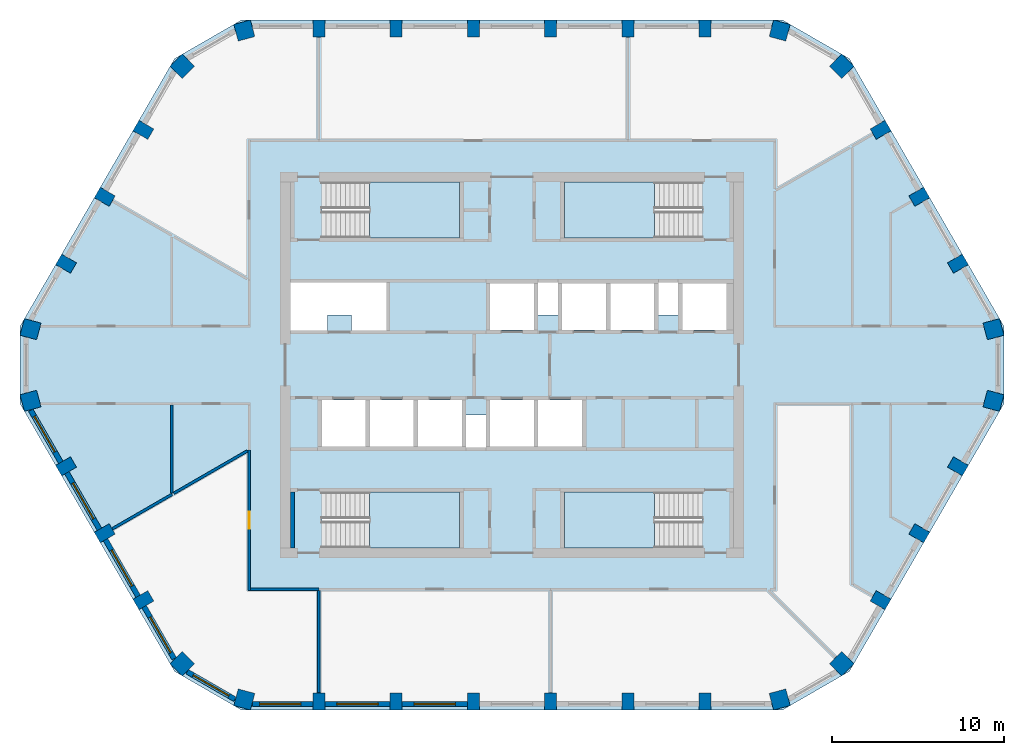
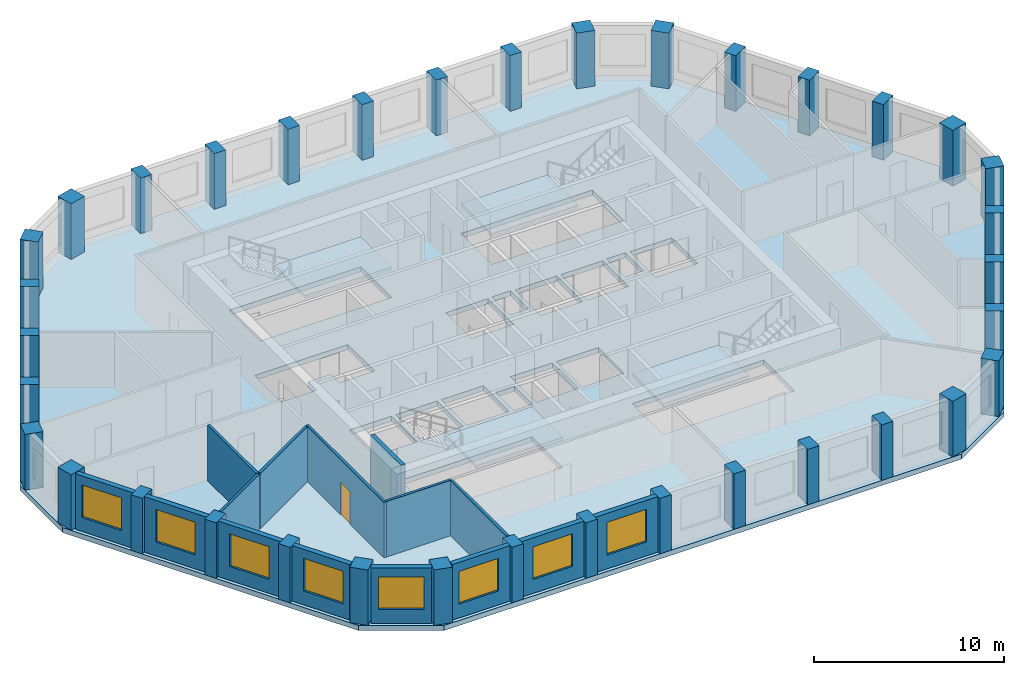
# One storey, part 1 of 11: 36 columns, 15 walls, 8 windows, 5 slabs, 1 door, 9 openings, 4 elements without a shape of their own.
"""IFC4 building model written with IfcOpenShell, lengths in metres."""

from ifc_helpers import new_model, si_unit, direction, frame, frame_2d, origin, origin_2d, place, context, subcontext, project, spatial, polyline, rectangle, outline, extrude, material, layer, layer_set, material_profile, profile_set, type_object, element, fill, aggregate, save


model = new_model("IFC4")

# Units and contexts
model_context = context("Model", 3, precision=1e-05, world=origin(), true_north=direction((0.0, 1.0)))
body_context = subcontext(model_context, "Body", "Model", "MODEL_VIEW")
ifc_project = project(units=[si_unit("LENGTHUNIT", "METRE"), si_unit("AREAUNIT", "SQUARE_METRE"), si_unit("VOLUMEUNIT", "CUBIC_METRE"), si_unit("PLANEANGLEUNIT", "RADIAN"), si_unit("MASSUNIT", "GRAM", prefix="KILO")], contexts=[model_context])

# Site, building, storey
site_placement = place(None, origin())
site = spatial("IfcSite", under=ifc_project, at=site_placement, CompositionType="ELEMENT")
building_placement = place(site_placement, origin())
building = spatial("IfcBuilding", under=site, at=building_placement, Name="Dhurran Vertical Campus", CompositionType="ELEMENT")
storey_placement = place(building_placement, frame((0.0, 0.0, 274.199951171875)))
storey = spatial("IfcBuildingStorey", under=building, at=storey_placement, Name="L68", CompositionType="ELEMENT", Elevation=274.199951171875)

# Columns
ifc_material_1 = material(Name="Concrete C50/60", Category="concrete")
ifc_material_profile_1 = material_profile(ifc_material_1, rectangle(XDim=1.0, YDim=1.0, at=origin_2d()), Name="RC 1000x1000")
ifc_profile_set_1 = profile_set([ifc_material_profile_1], Name="Concrete C50/60")
column_type_1 = type_object("IfcColumnType", Name="FR COL RC 1000x1000 C50/60", PredefinedType="COLUMN", material=ifc_profile_set_1)
for number, where, z_axis, x_axis, name in (
    (1, (-15.5859375, -19.47607421875, 0.0), (0.0, 0.0, 1.0), (0.965925826289, -0.258819045103, 0.0), "Perimeter pier PP5.00"),
    (2, (15.5859375, -19.47607421875, 0.0), (0.0, 0.0, 1.0), (0.965925826289, 0.258819045103, 0.0), "Perimeter pier PP5.07"),
    (3, (19.19873046875, -17.39013671875, 0.0), (0.0, 0.0, 1.0), (0.707106781187, 0.707106781187, 0.0), "Perimeter pier PP5.08"),
    (4, (28.03466796875, -2.0859375, 0.0), (0.0, 0.0, 1.0), (0.258819045103, 0.965925826289, 0.0), "Perimeter pier PP5.12"),
    (5, (28.03466796875, 2.0859375, 0.0), (0.0, 0.0, 1.0), (-0.258819045103, 0.965925826289, 0.0), "Perimeter pier PP5.13"),
    (6, (19.19873046875, 17.39013671875, 0.0), (0.0, 0.0, 1.0), (-0.707106781187, 0.707106781187, 0.0), "Perimeter pier PP5.17"),
    (7, (15.5859375, 19.47607421875, 0.0), (0.0, 0.0, 1.0), (-0.965925826289, 0.258819045103, 0.0), "Perimeter pier PP5.18"),
    (8, (-15.5859375, 19.47607421875, 0.0), (0.0, 0.0, 1.0), (-0.965925826289, -0.258819045103, 0.0), "Perimeter pier PP5.25"),
    (9, (-19.19873046875, 17.39013671875, 0.0), (0.0, 0.0, 1.0), (-0.707106781187, -0.707106781187, 0.0), "Perimeter pier PP5.26"),
    (10, (-28.03466796875, 2.0859375, 0.0), (0.0, 0.0, 1.0), (-0.258819045103, -0.965925826289, 0.0), "Perimeter pier PP5.30"),
    (11, (-28.03466796875, -2.0859375, 0.0), (0.0, 0.0, 1.0), (0.258819045103, -0.965925826289, 0.0), "Perimeter pier PP5.31"),
    (12, (-19.19873046875, -17.39013671875, 0.0), (0.0, 0.0, 1.0), (0.707106781187, -0.707106781187, 0.0), "Perimeter pier PP5.35"),
):
    element("IfcColumn", number, at=place(storey_placement, frame(where, z_axis=z_axis, x_axis=x_axis)), inside=storey, type_object=column_type_1, Name=name, PredefinedType="COLUMN", context=body_context, shape_type="SweptSolid", body=[
        extrude(rectangle(XDim=1.0, YDim=1.0, at=origin_2d()), origin(), (0.0, 0.0, 1.0), 3.574951171875),
    ])
ifc_material_2 = material(Name="Concrete C50/60", Category="concrete")
ifc_material_profile_2 = material_profile(ifc_material_2, rectangle(XDim=0.699951171875, YDim=1.0, at=origin_2d()), Name="RC 700x1000")
ifc_profile_set_2 = profile_set([ifc_material_profile_2], Name="Concrete C50/60")
column_type_2 = type_object("IfcColumnType", Name="FR COL RC 700x1000 C50/60", PredefinedType="COLUMN", material=ifc_profile_set_2)
for number, where, z_axis, x_axis, name in (
    (13, (-11.25, -19.58837890625, 0.0), (0.0, 0.0, 1.0), (1.0, 0.0, 0.0), "Perimeter pier PP5.01"),
    (14, (-6.75, -19.58837890625, 0.0), (0.0, 0.0, 1.0), (1.0, 0.0, 0.0), "Perimeter pier PP5.02"),
    (15, (-2.25, -19.58837890625, 0.0), (0.0, 0.0, 1.0), (1.0, 0.0, 0.0), "Perimeter pier PP5.03"),
    (16, (2.25, -19.58837890625, 0.0), (0.0, 0.0, 1.0), (1.0, 0.0, 0.0), "Perimeter pier PP5.04"),
    (17, (6.75, -19.58837890625, 0.0), (0.0, 0.0, 1.0), (1.0, 0.0, 0.0), "Perimeter pier PP5.05"),
    (18, (11.25, -19.58837890625, 0.0), (0.0, 0.0, 1.0), (1.0, 0.0, 0.0), "Perimeter pier PP5.06"),
    (19, (21.464111328125, -13.69140625, 0.0), (0.0, 0.0, 1.0), (0.5, 0.866025403784, 0.0), "Perimeter pier PP5.09"),
    (20, (23.714111328125, -9.794189453125, 0.0), (0.0, 0.0, 1.0), (0.5, 0.866025403784, 0.0), "Perimeter pier PP5.10"),
    (21, (25.964111328125, -5.897216796875, 0.0), (0.0, 0.0, 1.0), (0.5, 0.866025403784, 0.0), "Perimeter pier PP5.11"),
    (22, (25.964111328125, 5.897216796875, 0.0), (0.0, 0.0, 1.0), (-0.5, 0.866025403784, 0.0), "Perimeter pier PP5.14"),
    (23, (23.714111328125, 9.794189453125, 0.0), (0.0, 0.0, 1.0), (-0.5, 0.866025403784, 0.0), "Perimeter pier PP5.15"),
    (24, (21.464111328125, 13.69140625, 0.0), (0.0, 0.0, 1.0), (-0.5, 0.866025403784, 0.0), "Perimeter pier PP5.16"),
    (25, (11.25, 19.58837890625, 0.0), (0.0, 0.0, 1.0), (-1.0, 0.0, 0.0), "Perimeter pier PP5.19"),
    (26, (6.75, 19.58837890625, 0.0), (0.0, 0.0, 1.0), (-1.0, 0.0, 0.0), "Perimeter pier PP5.20"),
    (27, (2.25, 19.58837890625, 0.0), (0.0, 0.0, 1.0), (-1.0, 0.0, 0.0), "Perimeter pier PP5.21"),
    (28, (-2.25, 19.58837890625, 0.0), (0.0, 0.0, 1.0), (-1.0, 0.0, 0.0), "Perimeter pier PP5.22"),
    (29, (-6.75, 19.58837890625, 0.0), (0.0, 0.0, 1.0), (-1.0, 0.0, 0.0), "Perimeter pier PP5.23"),
    (30, (-11.25, 19.58837890625, 0.0), (0.0, 0.0, 1.0), (-1.0, 0.0, 0.0), "Perimeter pier PP5.24"),
    (31, (-21.464111328125, 13.69140625, 0.0), (0.0, 0.0, 1.0), (-0.5, -0.866025403784, 0.0), "Perimeter pier PP5.27"),
    (32, (-23.714111328125, 9.794189453125, 0.0), (0.0, 0.0, 1.0), (-0.5, -0.866025403784, 0.0), "Perimeter pier PP5.28"),
    (33, (-25.964111328125, 5.897216796875, 0.0), (0.0, 0.0, 1.0), (-0.5, -0.866025403784, 0.0), "Perimeter pier PP5.29"),
    (34, (-25.964111328125, -5.897216796875, 0.0), (0.0, 0.0, 1.0), (0.5, -0.866025403784, 0.0), "Perimeter pier PP5.32"),
    (35, (-23.714111328125, -9.794189453125, 0.0), (0.0, 0.0, 1.0), (0.5, -0.866025403784, 0.0), "Perimeter pier PP5.33"),
    (36, (-21.464111328125, -13.69140625, 0.0), (0.0, 0.0, 1.0), (0.5, -0.866025403784, 0.0), "Perimeter pier PP5.34"),
):
    element("IfcColumn", number, at=place(storey_placement, frame(where, z_axis=z_axis, x_axis=x_axis)), inside=storey, type_object=column_type_2, Name=name, PredefinedType="COLUMN", context=body_context, shape_type="SweptSolid", body=[
        extrude(rectangle(XDim=0.699951171875, YDim=1.0, at=origin_2d()), origin(), (0.0, 0.0, 1.0), 3.574951171875),
    ])

# Slab
ifc_material_3 = material(Name="Concrete C40/50", Category="concrete")
ifc_layer_1 = layer(ifc_material_3, 0.324951171875)
ifc_layer_set_1 = layer_set([ifc_layer_1], Name="Concrete C40/50")
slab_type_1 = type_object("IfcSlabType", Name="FR POST-TENSIONED FLAT SLAB 325", PredefinedType="FLOOR", material=ifc_layer_set_1)
slab_1_placement = place(storey_placement, frame((0.0, 0.0, -0.324951171875)))
element("IfcSlab", 37, at=slab_1_placement, inside=storey, type_object=slab_type_1, Name="Floor slab L68", PredefinedType="FLOOR", context=body_context, shape_type="SweptSolid", body=[
    extrude(outline(polyline([(-15.75, -20.08837890625), (15.75, -20.08837890625), (19.647216796875, -17.83837890625), (28.647216796875, -2.25), (28.647216796875, 2.25), (19.647216796875, 17.83837890625), (15.75, 20.08837890625), (-15.75, 20.08837890625), (-19.647216796875, 17.83837890625), (-28.647216796875, 2.25), (-28.647216796875, -2.25), (-19.647216796875, -17.83837890625), (-15.75, -20.08837890625)]), holes=[polyline([(-1.27490234375, 2.050048828125), (1.27490234375, 2.050048828125), (1.27490234375, 4.75), (-1.27490234375, 4.75), (-1.27490234375, 2.050048828125)]), polyline([(9.925048828125, 2.050048828125), (12.47509765625, 2.050048828125), (12.47509765625, 4.75), (9.925048828125, 4.75), (9.925048828125, 2.050048828125)]), polyline([(-1.27490234375, -4.75), (1.27490234375, -4.75), (1.27490234375, -2.050048828125), (-1.27490234375, -2.050048828125), (-1.27490234375, -4.75)]), polyline([(1.52490234375, -4.75), (4.074951171875, -4.75), (4.074951171875, -2.050048828125), (1.52490234375, -2.050048828125), (1.52490234375, -4.75)]), polyline([(2.925048828125, 2.050048828125), (5.47509765625, 2.050048828125), (5.47509765625, 4.75), (2.925048828125, 4.75), (2.925048828125, 2.050048828125)]), polyline([(5.72509765625, 2.050048828125), (8.27490234375, 2.050048828125), (8.27490234375, 4.75), (5.72509765625, 4.75), (5.72509765625, 2.050048828125)]), polyline([(-11.074951171875, -4.75), (-8.52490234375, -4.75), (-8.52490234375, -2.050048828125), (-11.074951171875, -2.050048828125), (-11.074951171875, -4.75)]), polyline([(-8.27490234375, -4.75), (-5.72509765625, -4.75), (-5.72509765625, -2.050048828125), (-8.27490234375, -2.050048828125), (-8.27490234375, -4.75)]), polyline([(-5.47509765625, -4.75), (-2.925048828125, -4.75), (-2.925048828125, -2.050048828125), (-5.47509765625, -2.050048828125), (-5.47509765625, -4.75)]), polyline([(-11.050048828125, 7.39990234375), (-3.050048828125, 7.39990234375), (-3.050048828125, 10.64990234375), (-11.050048828125, 10.64990234375), (-11.050048828125, 7.39990234375)]), polyline([(3.050048828125, 7.39990234375), (11.050048828125, 7.39990234375), (11.050048828125, 10.64990234375), (3.050048828125, 10.64990234375), (3.050048828125, 7.39990234375)]), polyline([(-11.050048828125, -10.64990234375), (-3.050048828125, -10.64990234375), (-3.050048828125, -7.39990234375), (-11.050048828125, -7.39990234375), (-11.050048828125, -10.64990234375)]), polyline([(3.050048828125, -10.64990234375), (11.050048828125, -10.64990234375), (11.050048828125, -7.39990234375), (3.050048828125, -7.39990234375), (3.050048828125, -10.64990234375)]), polyline([(-7.21240234375, 4.800048828125), (-7.21240234375, 2.0), (-9.356201171875, 2.0), (-9.356201171875, 2.89990234375), (-10.756103515625, 2.89990234375), (-10.756103515625, 2.0), (-12.89990234375, 2.0), (-12.89990234375, 4.800048828125), (-7.21240234375, 4.800048828125)]), polyline([(2.675048828125, 2.89990234375), (1.52490234375, 2.89990234375), (1.52490234375, 4.800048828125), (2.675048828125, 4.800048828125), (2.675048828125, 2.89990234375)]), polyline([(-2.675048828125, -2.89990234375), (-1.52490234375, -2.89990234375), (-1.52490234375, -4.800048828125), (-2.675048828125, -4.800048828125), (-2.675048828125, -2.89990234375)]), polyline([(9.675048828125, 2.89990234375), (8.52490234375, 2.89990234375), (8.52490234375, 4.800048828125), (9.675048828125, 4.800048828125), (9.675048828125, 2.89990234375)])]), origin(), (0.0, 0.0, 1.0), 0.324951171875),
])

# Stair, slab
ifc_material_4 = material(Name="Concrete C40/50", Category="concrete")
stair_type = type_object("IfcStairType", Name="co-ST-CORE", PredefinedType="HALF_TURN_STAIR", material=ifc_material_4)
stair_1_placement = place(storey_placement, origin())
stair_1 = element("IfcStair", 38, at=stair_1_placement, inside=storey, type_object=stair_type, Name="L68 Protected exit stair ST1", PredefinedType="HALF_TURN_STAIR")
ifc_material_5 = material(Name="Concrete C40/50", Category="concrete")
ifc_layer_2 = layer(ifc_material_5, 0.199951171875)
ifc_layer_set_2 = layer_set([ifc_layer_2], Name="Concrete C40/50")
slab_type_2 = type_object("IfcSlabType", Name="co-SL-LANDING", PredefinedType="LANDING", material=ifc_layer_set_2)
slab_2_placement = place(storey_placement, frame((0.0, 0.0, 1.75)))
slab_2 = element("IfcSlab", 39, at=slab_2_placement, type_object=slab_type_2, Name="ST1 landing 1", PredefinedType="LANDING", context=body_context, shape_type="SweptSolid", body=[
    extrude(outline(polyline([(-8.300048828125, 7.39990234375), (-3.050048828125, 7.39990234375), (-3.050048828125, 10.64990234375), (-8.300048828125, 10.64990234375), (-8.300048828125, 7.39990234375)])), origin(), (0.0, 0.0, 1.0), 0.199951171875),
])
aggregate(stair_1, [slab_2])

stair_2_placement = place(storey_placement, origin())
stair_2 = element("IfcStair", 40, at=stair_2_placement, inside=storey, type_object=stair_type, Name="L68 Protected exit stair ST2", PredefinedType="HALF_TURN_STAIR")
slab_3_placement = place(storey_placement, frame((0.0, 0.0, 1.75)))
slab_3 = element("IfcSlab", 41, at=slab_3_placement, type_object=slab_type_2, Name="ST2 landing 1", PredefinedType="LANDING", context=body_context, shape_type="SweptSolid", body=[
    extrude(outline(polyline([(8.300048828125, 10.64990234375), (3.050048828125, 10.64990234375), (3.050048828125, 7.39990234375), (8.300048828125, 7.39990234375), (8.300048828125, 10.64990234375)])), origin(), (0.0, 0.0, 1.0), 0.199951171875),
])
aggregate(stair_2, [slab_3])

stair_3_placement = place(storey_placement, origin())
stair_3 = element("IfcStair", 42, at=stair_3_placement, inside=storey, type_object=stair_type, Name="L68 Protected exit stair ST3", PredefinedType="HALF_TURN_STAIR")
slab_4_placement = place(storey_placement, frame((0.0, 0.0, 1.75)))
slab_4 = element("IfcSlab", 43, at=slab_4_placement, type_object=slab_type_2, Name="ST3 landing 1", PredefinedType="LANDING", context=body_context, shape_type="SweptSolid", body=[
    extrude(outline(polyline([(-8.300048828125, -10.64990234375), (-3.050048828125, -10.64990234375), (-3.050048828125, -7.39990234375), (-8.300048828125, -7.39990234375), (-8.300048828125, -10.64990234375)])), origin(), (0.0, 0.0, 1.0), 0.199951171875),
])
aggregate(stair_3, [slab_4])

stair_4_placement = place(storey_placement, origin())
stair_4 = element("IfcStair", 44, at=stair_4_placement, inside=storey, type_object=stair_type, Name="L68 Protected exit stair ST4", PredefinedType="HALF_TURN_STAIR")
slab_5_placement = place(storey_placement, frame((0.0, 0.0, 1.75)))
slab_5 = element("IfcSlab", 45, at=slab_5_placement, type_object=slab_type_2, Name="ST4 landing 1", PredefinedType="LANDING", context=body_context, shape_type="SweptSolid", body=[
    extrude(outline(polyline([(8.300048828125, -7.39990234375), (3.050048828125, -7.39990234375), (3.050048828125, -10.64990234375), (8.300048828125, -10.64990234375), (8.300048828125, -7.39990234375)])), origin(), (0.0, 0.0, 1.0), 0.199951171875),
])
aggregate(stair_4, [slab_5])

# Wall, opening, window
ifc_material_6 = material(Name="Precast concrete C50/60", Category="concrete")
ifc_layer_3 = layer(ifc_material_6, 0.300048828125)
ifc_layer_set_3 = layer_set([ifc_layer_3], Name="Precast concrete C50/60")
wall_type_1 = type_object("IfcWallType", Name="Precast spandrel wall 300", PredefinedType="SOLIDWALL", material=ifc_layer_set_3)
wall_1_placement = place(storey_placement, frame((-15.09814453125, -19.738525390625, 0.0), z_axis=(0.0, 0.0, 1.0), x_axis=(1.0, 0.0, 0.0)))
wall_1 = element("IfcWall", 46, at=wall_1_placement, inside=storey, type_object=wall_type_1, Name="EW1 L68.00", PredefinedType="SOLIDWALL", context=body_context, shape_type="SweptSolid", body=[
    extrude(rectangle(XDim=3.49755859375, YDim=0.300048828125, at=frame_2d((1.748779296875, 0.0))), origin(), (0.0, 0.0, 1.0), 3.574951171875),
])
opening_1_placement = place(wall_1_placement, frame((0.398193359375, 0.0, 0.89990234375)))
opening_1 = element("IfcOpeningElement", 47, at=opening_1_placement, cuts=wall_1, Name="Opening WT1", PredefinedType="OPENING", context=body_context, shape_type="SweptSolid", body=[
    extrude(rectangle(XDim=2.39990234375, YDim=2.10009765625, at=frame_2d((1.199951171875, 1.050048828125))), frame((0.0, 0.159912109375, 0.0), z_axis=(0.0, -1.0, 0.0), x_axis=(1.0, 0.0, 0.0)), (0.0, 0.0, 1.0), 0.320068359375),
])
ifc_material_7 = material(Name="Aluminium frame with solar-control glass", Category="aluminium")
window_type = type_object("IfcWindowType", Name="Punched window 2400 x 2100", PartitioningType="SINGLE_PANEL", PredefinedType="WINDOW", material=ifc_material_7)
window_1_placement = place(opening_1_placement, origin())
window_1 = element("IfcWindow", 48, at=window_1_placement, inside=storey, type_object=window_type, Name="WT1 L68.00", OverallHeight=2.10009765625, OverallWidth=2.39990234375, PartitioningType="SINGLE_PANEL", PredefinedType="WINDOW", context=body_context, shape_type="SweptSolid", body=[
    extrude(rectangle(XDim=2.39990234375, YDim=2.10009765625, at=frame_2d((1.199951171875, 1.050048828125))), frame((0.0, 0.030029296875, 0.0), z_axis=(0.0, -1.0, 0.0), x_axis=(1.0, 0.0, 0.0)), (0.0, 0.0, 1.0), 0.06005859375),
])
fill(opening_1, window_1)

wall_2_placement = place(storey_placement, frame((-10.8994140625, -19.738525390625, 0.0), z_axis=(0.0, 0.0, 1.0), x_axis=(1.0, 0.0, 0.0)))
wall_2 = element("IfcWall", 49, at=wall_2_placement, inside=storey, type_object=wall_type_1, Name="EW1 L68.01", PredefinedType="SOLIDWALL", context=body_context, shape_type="SweptSolid", body=[
    extrude(rectangle(XDim=3.798828125, YDim=0.300048828125, at=frame_2d((1.8994140625, 0.0))), origin(), (0.0, 0.0, 1.0), 3.574951171875),
])
opening_2_placement = place(wall_2_placement, frame((0.699462890625, 0.0, 0.89990234375)))
opening_2 = element("IfcOpeningElement", 50, at=opening_2_placement, cuts=wall_2, Name="Opening WT1", PredefinedType="OPENING", context=body_context, shape_type="SweptSolid", body=[
    extrude(rectangle(XDim=2.39990234375, YDim=2.10009765625, at=frame_2d((1.199951171875, 1.050048828125))), frame((0.0, 0.159912109375, 0.0), z_axis=(0.0, -1.0, 0.0), x_axis=(1.0, 0.0, 0.0)), (0.0, 0.0, 1.0), 0.320068359375),
])
window_2_placement = place(opening_2_placement, origin())
window_2 = element("IfcWindow", 51, at=window_2_placement, inside=storey, type_object=window_type, Name="WT1 L68.01", OverallHeight=2.10009765625, OverallWidth=2.39990234375, PartitioningType="SINGLE_PANEL", PredefinedType="WINDOW", context=body_context, shape_type="SweptSolid", body=[
    extrude(rectangle(XDim=2.39990234375, YDim=2.10009765625, at=frame_2d((1.199951171875, 1.050048828125))), frame((0.0, 0.030029296875, 0.0), z_axis=(0.0, -1.0, 0.0), x_axis=(1.0, 0.0, 0.0)), (0.0, 0.0, 1.0), 0.06005859375),
])
fill(opening_2, window_2)

wall_3_placement = place(storey_placement, frame((-6.3994140625, -19.738525390625, 0.0), z_axis=(0.0, 0.0, 1.0), x_axis=(1.0, 0.0, 0.0)))
wall_3 = element("IfcWall", 52, at=wall_3_placement, inside=storey, type_object=wall_type_1, Name="EW1 L68.02", PredefinedType="SOLIDWALL", context=body_context, shape_type="SweptSolid", body=[
    extrude(rectangle(XDim=3.798828125, YDim=0.300048828125, at=frame_2d((1.8994140625, 0.0))), origin(), (0.0, 0.0, 1.0), 3.574951171875),
])
opening_3_placement = place(wall_3_placement, frame((0.699462890625, 0.0, 0.89990234375)))
opening_3 = element("IfcOpeningElement", 53, at=opening_3_placement, cuts=wall_3, Name="Opening WT1", PredefinedType="OPENING", context=body_context, shape_type="SweptSolid", body=[
    extrude(rectangle(XDim=2.39990234375, YDim=2.10009765625, at=frame_2d((1.199951171875, 1.050048828125))), frame((0.0, 0.159912109375, 0.0), z_axis=(0.0, -1.0, 0.0), x_axis=(1.0, 0.0, 0.0)), (0.0, 0.0, 1.0), 0.320068359375),
])
window_3_placement = place(opening_3_placement, origin())
window_3 = element("IfcWindow", 54, at=window_3_placement, inside=storey, type_object=window_type, Name="WT1 L68.02", OverallHeight=2.10009765625, OverallWidth=2.39990234375, PartitioningType="SINGLE_PANEL", PredefinedType="WINDOW", context=body_context, shape_type="SweptSolid", body=[
    extrude(rectangle(XDim=2.39990234375, YDim=2.10009765625, at=frame_2d((1.199951171875, 1.050048828125))), frame((0.0, 0.030029296875, 0.0), z_axis=(0.0, -1.0, 0.0), x_axis=(1.0, 0.0, 0.0)), (0.0, 0.0, 1.0), 0.06005859375),
])
fill(opening_3, window_3)

wall_4_placement = place(storey_placement, frame((-28.01806640625, -2.6396484375, 0.0), z_axis=(0.0, 0.0, 1.0), x_axis=(0.499990325971, -0.866030989016, 0.0)))
wall_4 = element("IfcWall", 55, at=wall_4_placement, inside=storey, type_object=wall_type_1, Name="EW1 L68.31", PredefinedType="SOLIDWALL", context=body_context, shape_type="SweptSolid", body=[
    extrude(rectangle(XDim=3.49755859375, YDim=0.300048828125, at=frame_2d((1.748779296875, 0.0))), origin(), (0.0, 0.0, 1.0), 3.574951171875),
])
opening_4_placement = place(wall_4_placement, frame((0.398193359375, 0.0, 0.89990234375)))
opening_4 = element("IfcOpeningElement", 56, at=opening_4_placement, cuts=wall_4, Name="Opening WT1", PredefinedType="OPENING", context=body_context, shape_type="SweptSolid", body=[
    extrude(rectangle(XDim=2.39990234375, YDim=2.10009765625, at=frame_2d((1.199951171875, 1.050048828125))), frame((0.0, 0.159912109375, 0.0), z_axis=(0.0, -1.0, 0.0), x_axis=(1.0, 0.0, 0.0)), (0.0, 0.0, 1.0), 0.320068359375),
])
window_4_placement = place(opening_4_placement, origin())
window_4 = element("IfcWindow", 57, at=window_4_placement, inside=storey, type_object=window_type, Name="WT1 L68.31", OverallHeight=2.10009765625, OverallWidth=2.39990234375, PartitioningType="SINGLE_PANEL", PredefinedType="WINDOW", context=body_context, shape_type="SweptSolid", body=[
    extrude(rectangle(XDim=2.39990234375, YDim=2.10009765625, at=frame_2d((1.199951171875, 1.050048828125))), frame((0.0, 0.030029296875, 0.0), z_axis=(0.0, -1.0, 0.0), x_axis=(1.0, 0.0, 0.0)), (0.0, 0.0, 1.0), 0.06005859375),
])
fill(opening_4, window_4)

wall_5_placement = place(storey_placement, frame((-25.918701171875, -6.275634765625, 0.0), z_axis=(0.0, 0.0, 1.0), x_axis=(0.499982058975, -0.866035761792, 0.0)))
wall_5 = element("IfcWall", 58, at=wall_5_placement, inside=storey, type_object=wall_type_1, Name="EW1 L68.32", PredefinedType="SOLIDWALL", context=body_context, shape_type="SweptSolid", body=[
    extrude(rectangle(XDim=3.799072265625, YDim=0.300048828125, at=frame_2d((1.8994140625, 0.0))), origin(), (0.0, 0.0, 1.0), 3.574951171875),
])
opening_5_placement = place(wall_5_placement, frame((0.699462890625, 0.0, 0.89990234375)))
opening_5 = element("IfcOpeningElement", 59, at=opening_5_placement, cuts=wall_5, Name="Opening WT1", PredefinedType="OPENING", context=body_context, shape_type="SweptSolid", body=[
    extrude(rectangle(XDim=2.39990234375, YDim=2.10009765625, at=frame_2d((1.199951171875, 1.050048828125))), frame((0.0, 0.159912109375, 0.0), z_axis=(0.0, -1.0, 0.0), x_axis=(1.0, 0.0, 0.0)), (0.0, 0.0, 1.0), 0.320068359375),
])
window_5_placement = place(opening_5_placement, origin())
window_5 = element("IfcWindow", 60, at=window_5_placement, inside=storey, type_object=window_type, Name="WT1 L68.32", OverallHeight=2.10009765625, OverallWidth=2.39990234375, PartitioningType="SINGLE_PANEL", PredefinedType="WINDOW", context=body_context, shape_type="SweptSolid", body=[
    extrude(rectangle(XDim=2.39990234375, YDim=2.10009765625, at=frame_2d((1.199951171875, 1.050048828125))), frame((0.0, 0.030029296875, 0.0), z_axis=(0.0, -1.0, 0.0), x_axis=(1.0, 0.0, 0.0)), (0.0, 0.0, 1.0), 0.06005859375),
])
fill(opening_5, window_5)

wall_6_placement = place(storey_placement, frame((-23.668701171875, -10.1728515625, 0.0), z_axis=(0.0, 0.0, 1.0), x_axis=(0.499982058975, -0.866035761792, 0.0)))
wall_6 = element("IfcWall", 61, at=wall_6_placement, inside=storey, type_object=wall_type_1, Name="EW1 L68.33", PredefinedType="SOLIDWALL", context=body_context, shape_type="SweptSolid", body=[
    extrude(rectangle(XDim=3.799072265625, YDim=0.300048828125, at=frame_2d((1.8994140625, 0.0))), origin(), (0.0, 0.0, 1.0), 3.574951171875),
])
opening_6_placement = place(wall_6_placement, frame((0.699462890625, 0.0, 0.89990234375)))
opening_6 = element("IfcOpeningElement", 62, at=opening_6_placement, cuts=wall_6, Name="Opening WT1", PredefinedType="OPENING", context=body_context, shape_type="SweptSolid", body=[
    extrude(rectangle(XDim=2.39990234375, YDim=2.10009765625, at=frame_2d((1.199951171875, 1.050048828125))), frame((0.0, 0.159912109375, 0.0), z_axis=(0.0, -1.0, 0.0), x_axis=(1.0, 0.0, 0.0)), (0.0, 0.0, 1.0), 0.320068359375),
])
window_6_placement = place(opening_6_placement, origin())
window_6 = element("IfcWindow", 63, at=window_6_placement, inside=storey, type_object=window_type, Name="WT1 L68.33", OverallHeight=2.10009765625, OverallWidth=2.39990234375, PartitioningType="SINGLE_PANEL", PredefinedType="WINDOW", context=body_context, shape_type="SweptSolid", body=[
    extrude(rectangle(XDim=2.39990234375, YDim=2.10009765625, at=frame_2d((1.199951171875, 1.050048828125))), frame((0.0, 0.030029296875, 0.0), z_axis=(0.0, -1.0, 0.0), x_axis=(1.0, 0.0, 0.0)), (0.0, 0.0, 1.0), 0.06005859375),
])
fill(opening_6, window_6)

wall_7_placement = place(storey_placement, frame((-21.418701171875, -14.06982421875, 0.0), z_axis=(0.0, 0.0, 1.0), x_axis=(0.499960102815, -0.866048437209, 0.0)))
wall_7 = element("IfcWall", 64, at=wall_7_placement, inside=storey, type_object=wall_type_1, Name="EW1 L68.34", PredefinedType="SOLIDWALL", context=body_context, shape_type="SweptSolid", body=[
    extrude(rectangle(XDim=3.497802734375, YDim=0.300048828125, at=frame_2d((1.7490234375, 0.0))), origin(), (0.0, 0.0, 1.0), 3.574951171875),
])
opening_7_placement = place(wall_7_placement, frame((0.699462890625, 0.0, 0.89990234375)))
opening_7 = element("IfcOpeningElement", 65, at=opening_7_placement, cuts=wall_7, Name="Opening WT1", PredefinedType="OPENING", context=body_context, shape_type="SweptSolid", body=[
    extrude(rectangle(XDim=2.39990234375, YDim=2.10009765625, at=frame_2d((1.199951171875, 1.050048828125))), frame((0.0, 0.159912109375, 0.0), z_axis=(0.0, -1.0, 0.0), x_axis=(1.0, 0.0, 0.0)), (0.0, 0.0, 1.0), 0.320068359375),
])
window_7_placement = place(opening_7_placement, origin())
window_7 = element("IfcWindow", 66, at=window_7_placement, inside=storey, type_object=window_type, Name="WT1 L68.34", OverallHeight=2.10009765625, OverallWidth=2.39990234375, PartitioningType="SINGLE_PANEL", PredefinedType="WINDOW", context=body_context, shape_type="SweptSolid", body=[
    extrude(rectangle(XDim=2.39990234375, YDim=2.10009765625, at=frame_2d((1.199951171875, 1.050048828125))), frame((0.0, 0.030029296875, 0.0), z_axis=(0.0, -1.0, 0.0), x_axis=(1.0, 0.0, 0.0)), (0.0, 0.0, 1.0), 0.06005859375),
])
fill(opening_7, window_7)

wall_8_placement = place(storey_placement, frame((-18.90771484375, -17.861328125, 0.0), z_axis=(0.0, 0.0, 1.0), x_axis=(0.866025316205, -0.500000151692, 0.0)))
wall_8 = element("IfcWall", 67, at=wall_8_placement, inside=storey, type_object=wall_type_1, Name="EW1 L68.35", PredefinedType="SOLIDWALL", context=body_context, shape_type="SweptSolid", body=[
    extrude(rectangle(XDim=3.1962890625, YDim=0.300048828125, at=frame_2d((1.59814453125, 0.0))), origin(), (0.0, 0.0, 1.0), 3.574951171875),
])
opening_8_placement = place(wall_8_placement, frame((0.398193359375, 0.0, 0.89990234375)))
opening_8 = element("IfcOpeningElement", 68, at=opening_8_placement, cuts=wall_8, Name="Opening WT1", PredefinedType="OPENING", context=body_context, shape_type="SweptSolid", body=[
    extrude(rectangle(XDim=2.39990234375, YDim=2.10009765625, at=frame_2d((1.199951171875, 1.050048828125))), frame((0.0, 0.159912109375, 0.0), z_axis=(0.0, -1.0, 0.0), x_axis=(1.0, 0.0, 0.0)), (0.0, 0.0, 1.0), 0.320068359375),
])
window_8_placement = place(opening_8_placement, origin())
window_8 = element("IfcWindow", 69, at=window_8_placement, inside=storey, type_object=window_type, Name="WT1 L68.35", OverallHeight=2.10009765625, OverallWidth=2.39990234375, PartitioningType="SINGLE_PANEL", PredefinedType="WINDOW", context=body_context, shape_type="SweptSolid", body=[
    extrude(rectangle(XDim=2.39990234375, YDim=2.10009765625, at=frame_2d((1.199951171875, 1.050048828125))), frame((0.0, 0.030029296875, 0.0), z_axis=(0.0, -1.0, 0.0), x_axis=(1.0, 0.0, 0.0)), (0.0, 0.0, 1.0), 0.06005859375),
])
fill(opening_8, window_8)

# Wall
ifc_material_8 = material(Name="Concrete C40/50", Category="concrete")
ifc_layer_4 = layer(ifc_material_8, 0.25)
ifc_layer_set_4 = layer_set([ifc_layer_4], Name="Concrete C40/50")
wall_type_2 = type_object("IfcWallType", Name="co-STAIR-WALL-250", PredefinedType="SHEAR", material=ifc_layer_set_4)
wall_9_placement = place(storey_placement, frame((-12.77490234375, -10.64990234375, 0.0), z_axis=(0.0, 0.0, 1.0), x_axis=(0.0, 1.0, 0.0)))
element("IfcWall", 70, at=wall_9_placement, inside=storey, type_object=wall_type_2, Name="Stair ST3 enclosure wall L68", PredefinedType="SHEAR", context=body_context, shape_type="SweptSolid", body=[
    extrude(rectangle(XDim=3.25, YDim=0.25, at=frame_2d((1.625, 0.0))), origin(), (0.0, 0.0, 1.0), 3.574951171875),
])

# Wall, opening, door
ifc_material_9 = material(Name="Gypsum board corridor wall on steel studs", Category="steel")
ifc_layer_5 = layer(ifc_material_9, 0.14990234375)
ifc_layer_set_5 = layer_set([ifc_layer_5], Name="Gypsum board corridor wall on steel studs")
wall_type_3 = type_object("IfcWallType", Name="fl-CW-150 corridor wall", PredefinedType="PARTITIONING", material=ifc_layer_set_5)
wall_10_placement = place(storey_placement, frame((-15.300048828125, -4.93603515625, 0.0), z_axis=(0.0, 0.0, 1.0), x_axis=(0.0, -1.0, 0.0)))
wall_10 = element("IfcWall", 71, at=wall_10_placement, inside=storey, type_object=wall_type_3, Name="Partition 68-11", PredefinedType="PARTITIONING", context=body_context, shape_type="SweptSolid", body=[
    extrude(rectangle(XDim=8.18896484375, YDim=0.14990234375, at=frame_2d((4.094482421875, 0.0))), origin(), (0.0, 0.0, 1.0), 3.574951171875),
])
opening_9_placement = place(wall_10_placement, frame((3.594482421875, 0.0, 0.0)))
opening_9 = element("IfcOpeningElement", 72, at=opening_9_placement, cuts=wall_10, Name="Opening T20.05", PredefinedType="OPENING", context=body_context, shape_type="SweptSolid", body=[
    extrude(rectangle(XDim=1.0, YDim=2.10009765625, at=frame_2d((0.5, 1.050048828125))), frame((0.0, 0.0849609375, 0.0), z_axis=(0.0, -1.0, 0.0), x_axis=(1.0, 0.0, 0.0)), (0.0, 0.0, 1.0), 0.169921875),
])
ifc_material_10 = material(Name="Solid-core timber door set, fire-rated", Category="wood")
door_type = type_object("IfcDoorType", Name="fl-D-1000x2100", OperationType="SINGLE_SWING_LEFT", PredefinedType="DOOR", material=ifc_material_10)
door_placement = place(opening_9_placement, origin())
door = element("IfcDoor", 73, at=door_placement, inside=storey, type_object=door_type, Name="Door 68.05", OperationType="SINGLE_SWING_RIGHT", OverallHeight=2.10009765625, OverallWidth=1.0, PredefinedType="DOOR", context=body_context, shape_type="SweptSolid", body=[
    extrude(rectangle(XDim=1.0, YDim=2.10009765625, at=frame_2d((0.5, 1.050048828125))), frame((0.0, 0.02490234375, 0.0), z_axis=(0.0, -1.0, 0.0), x_axis=(1.0, 0.0, 0.0)), (0.0, 0.0, 1.0), 0.050048828125),
])
fill(opening_9, door)

# Walls
wall_11_placement = place(storey_placement, frame((-15.22509765625, -13.050048828125, 0.0), z_axis=(0.0, 0.0, 1.0), x_axis=(1.0, 0.0, 0.0)))
element("IfcWall", 74, at=wall_11_placement, inside=storey, type_object=wall_type_3, Name="Partition 68-12", PredefinedType="PARTITIONING", context=body_context, shape_type="SweptSolid", body=[
    extrude(rectangle(XDim=3.97509765625, YDim=0.14990234375, at=frame_2d((1.987548828125, 0.0))), origin(), (0.0, 0.0, 1.0), 3.574951171875),
])
ifc_material_11 = material(Name="Gypsum board partition on steel studs", Category="steel")
ifc_layer_6 = layer(ifc_material_11, 0.14990234375)
ifc_layer_set_6 = layer_set([ifc_layer_6], Name="Gypsum board partition on steel studs")
wall_type_4 = type_object("IfcWallType", Name="fl-PW-150 fixed partition", PredefinedType="PARTITIONING", material=ifc_layer_set_6)
wall_12_placement = place(storey_placement, frame((-19.800048828125, -7.533935546875, 0.0), z_axis=(0.0, 0.0, 1.0), x_axis=(-0.865984319305, -0.500071153655, 0.0)))
element("IfcWall", 75, at=wall_12_placement, inside=storey, type_object=wall_type_4, Name="Partition 68-03", PredefinedType="PARTITIONING", context=body_context, shape_type="SweptSolid", body=[
    extrude(rectangle(XDim=4.0, YDim=0.14990234375, at=frame_2d((2.0, 0.0))), origin(), (0.0, 0.0, 1.0), 3.574951171875),
])
wall_13_placement = place(storey_placement, frame((-19.800048828125, -2.324951171875, 0.0), z_axis=(0.0, 0.0, 1.0), x_axis=(0.0, -1.0, 0.0)))
element("IfcWall", 76, at=wall_13_placement, inside=storey, type_object=wall_type_4, Name="Partition 68-05", PredefinedType="PARTITIONING", context=body_context, shape_type="SweptSolid", body=[
    extrude(rectangle(XDim=5.134033203125, YDim=0.14990234375, at=frame_2d((2.56689453125, 0.0))), origin(), (0.0, 0.0, 1.0), 3.574951171875),
])
wall_14_placement = place(storey_placement, frame((-15.41259765625, -5.0009765625, 0.0), z_axis=(0.0, 0.0, 1.0), x_axis=(-0.866034039096, -0.499985042903, 0.0)))
element("IfcWall", 77, at=wall_14_placement, inside=storey, type_object=wall_type_4, Name="Partition 68-06", PredefinedType="PARTITIONING", context=body_context, shape_type="SweptSolid", body=[
    extrude(rectangle(XDim=4.936279296875, YDim=0.14990234375, at=frame_2d((2.46826171875, 0.0))), origin(), (0.0, 0.0, 1.0), 3.574951171875),
])
wall_15_placement = place(storey_placement, frame((-11.25, -13.125, 0.0), z_axis=(0.0, 0.0, 1.0), x_axis=(0.0, -1.0, 0.0)))
element("IfcWall", 78, at=wall_15_placement, inside=storey, type_object=wall_type_4, Name="Partition 68-17", PredefinedType="PARTITIONING", context=body_context, shape_type="SweptSolid", body=[
    extrude(rectangle(XDim=5.943603515625, YDim=0.14990234375, at=frame_2d((2.9716796875, 0.0))), origin(), (0.0, 0.0, 1.0), 3.574951171875),
])

save(model, "model.ifc")
